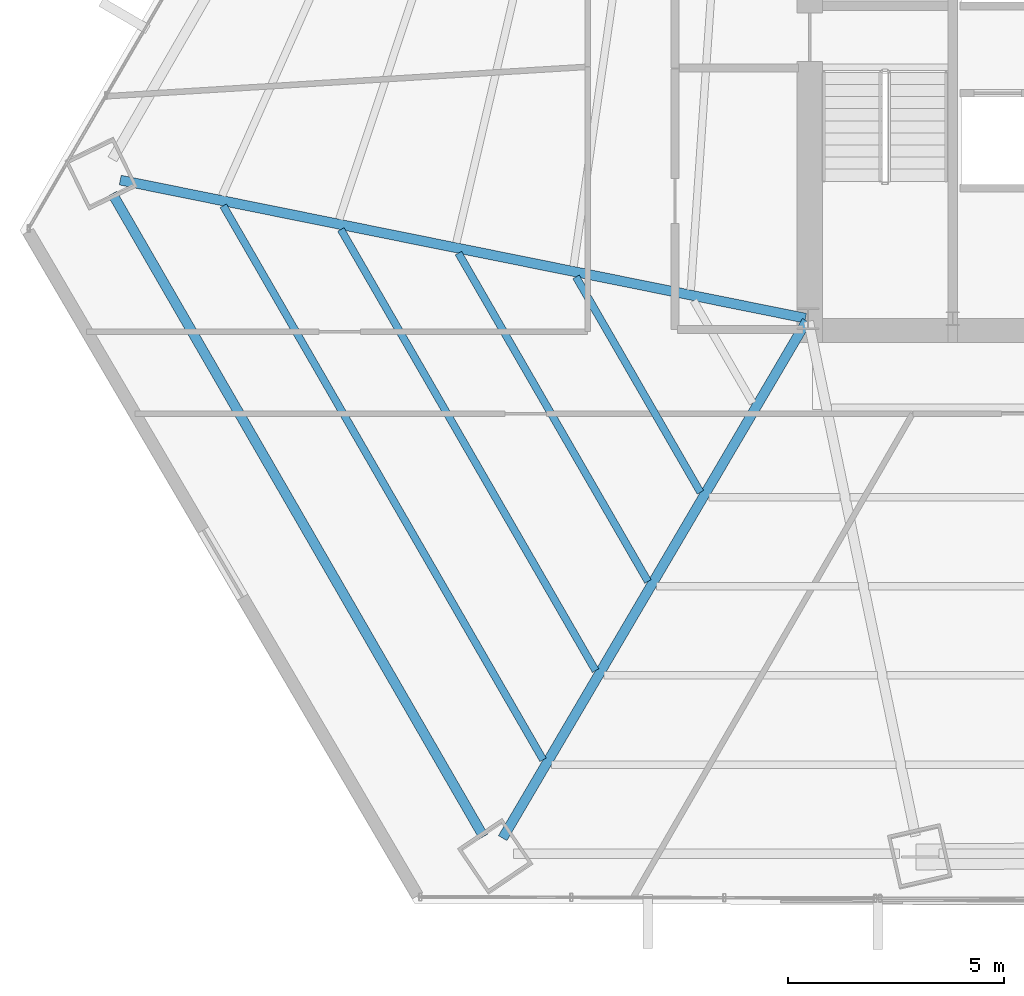
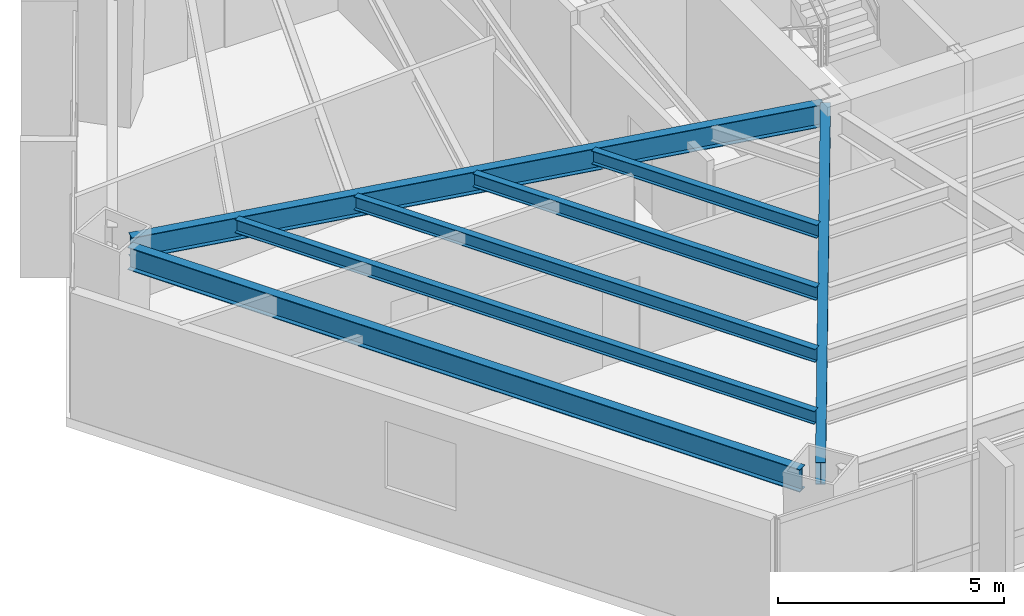
# One storey, part 4 of 33: 7 beams.
"""IFC4 building model written with IfcOpenShell, lengths in metres."""

from ifc_helpers import new_model, si_unit, direction, frame, origin, origin_2d, place, context, subcontext, project, spatial, i_section, extrude, source, transform, mapped, material, material_profile, profile_set, type_object, type_shapes, element, save


model = new_model("IFC4")

# Units and contexts
model_context = context("Model", 3, precision=1e-05, world=origin(), true_north=direction((0.0, 1.0)))
body_context = subcontext(model_context, "Body", "Model", "MODEL_VIEW")
ifc_project = project(units=[si_unit("LENGTHUNIT", "METRE"), si_unit("AREAUNIT", "SQUARE_METRE"), si_unit("VOLUMEUNIT", "CUBIC_METRE"), si_unit("PLANEANGLEUNIT", "RADIAN"), si_unit("MASSUNIT", "GRAM", prefix="KILO")], contexts=[model_context])

# Site, building, storey
site_placement = place(None, origin())
site = spatial("IfcSite", under=ifc_project, at=site_placement, CompositionType="ELEMENT")
building_placement = place(site_placement, origin())
building = spatial("IfcBuilding", under=site, at=building_placement, Name="Caelisora Broadcast Tower", CompositionType="ELEMENT")
storey_placement = place(building_placement, frame((0.0, 0.0, 34.89990234375)))
storey = spatial("IfcBuildingStorey", under=building, at=storey_placement, Name="L08", CompositionType="ELEMENT", Elevation=34.89990234375)

# Beams
ifc_material = material(Name="Steel Grade 350 (AS/NZS 3679.1)", Category="steel")
ifc_material_profile_1 = material_profile(ifc_material, i_section(OverallWidth=0.22900390625, OverallDepth=0.611572265625, WebThickness=0.011962890625, FlangeThickness=0.01953125, at=origin_2d()), Name="Steel Grade 350 (AS/NZS 3679.1)")
ifc_profile_set_1 = profile_set([ifc_material_profile_1], Name="Steel Grade 350 (AS/NZS 3679.1)")
beam_type_1 = type_object("IfcBeamType", Name="PG03", PredefinedType="BEAM", material=ifc_profile_set_1)
shared_shape_1 = source(origin(), body_context, "Body", "SweptSolid", [
    extrude(i_section(OverallWidth=0.22900390625, OverallDepth=0.611572265625, WebThickness=0.011962890625, FlangeThickness=0.01953125, at=origin_2d()), origin(), (0.0, 0.0, 1.0), 17.179931640625),
])
type_shapes(beam_type_1, [shared_shape_1])
beam_1_placement = place(storey_placement, frame((14.400146484375, 20.29345703125, 3.09423828125), z_axis=(0.500007431298, -0.86602111328, 0.0), x_axis=(0.86602111328, 0.500007431298, 0.0)))
element("IfcBeam", 1, at=beam_1_placement, inside=storey, type_object=beam_type_1, Name="L08 beam PG03", PredefinedType="BEAM", context=body_context, shape_type="MappedRepresentation", body=[
    mapped(shared_shape_1, transform((0.0, 0.0, 0.0), scale=1.0)),
])
ifc_material_profile_2 = material_profile(ifc_material, i_section(OverallWidth=0.22802734375, OverallDepth=0.602294921875, WebThickness=0.010498046875, FlangeThickness=0.014892578125, at=origin_2d()), Name="Steel Grade 350 (AS/NZS 3679.1)")
ifc_profile_set_2 = profile_set([ifc_material_profile_2], Name="Steel Grade 350 (AS/NZS 3679.1)")
beam_type_2 = type_object("IfcBeamType", Name="PG04", PredefinedType="BEAM", material=ifc_profile_set_2)
shared_shape_2 = source(origin(), body_context, "Body", "SweptSolid", [
    extrude(i_section(OverallWidth=0.22802734375, OverallDepth=0.602294921875, WebThickness=0.010498046875, FlangeThickness=0.014892578125, at=origin_2d()), origin(), (0.0, 0.0, 1.0), 16.178466796875),
])
beam_2_placement = place(storey_placement, frame((30.441162109375, 17.411865234375, 3.098876953125), z_axis=(-0.98028062823, 0.197610449918, 0.0), x_axis=(-0.197610449918, -0.98028062823, 0.0)))
element("IfcBeam", 2, at=beam_2_placement, inside=storey, type_object=beam_type_2, Name="L08 beam PG04", PredefinedType="BEAM", context=body_context, shape_type="MappedRepresentation", body=[
    mapped(shared_shape_2, transform((0.0, 0.0, 0.0), scale=1.0)),
])
shared_shape_3 = source(origin(), body_context, "Body", "SweptSolid", [
    extrude(i_section(OverallWidth=0.22802734375, OverallDepth=0.602294921875, WebThickness=0.010498046875, FlangeThickness=0.014892578125, at=origin_2d()), origin(), (0.0, 0.0, 1.0), 13.884521484375),
])
type_shapes(beam_type_2, [shared_shape_2, shared_shape_3])
beam_3_placement = place(storey_placement, frame((30.469482421875, 17.348388671875, 3.098876953125), z_axis=(-0.506779585423, -0.862075664776, 0.0), x_axis=(0.862075664776, -0.506779585423, 0.0)))
element("IfcBeam", 3, at=beam_3_placement, inside=storey, type_object=beam_type_2, Name="L08 beam PG04", PredefinedType="BEAM", context=body_context, shape_type="MappedRepresentation", body=[
    mapped(shared_shape_3, transform((0.0, 0.0, 0.0), scale=1.0)),
])
ifc_material_profile_3 = material_profile(ifc_material, i_section(OverallWidth=0.172119140625, OverallDepth=0.358642578125, WebThickness=0.008056640625, FlangeThickness=0.012939453125, at=origin_2d()), Name="Steel Grade 350 (AS/NZS 3679.1)")
ifc_profile_set_3 = profile_set([ifc_material_profile_3], Name="Steel Grade 350 (AS/NZS 3679.1)")
beam_type_3 = type_object("IfcBeamType", Name="SB02", PredefinedType="JOIST", material=ifc_profile_set_3)
shared_shape_4 = source(origin(), body_context, "Body", "SweptSolid", [
    extrude(i_section(OverallWidth=0.172119140625, OverallDepth=0.358642578125, WebThickness=0.008056640625, FlangeThickness=0.012939453125, at=origin_2d()), origin(), (0.0, 0.0, 1.0), 5.75634765625),
])
beam_4_placement = place(storey_placement, frame((25.131103515625, 18.3681640625, 3.220703125), z_axis=(0.500052873733, -0.865994874968, 0.0), x_axis=(0.865994874968, 0.500052873733, 0.0)))
element("IfcBeam", 4, at=beam_4_placement, inside=storey, type_object=beam_type_3, Name="L08 beam SB02", PredefinedType="JOIST", context=body_context, shape_type="MappedRepresentation", body=[
    mapped(shared_shape_4, transform((0.0, 0.0, 0.0), scale=1.0)),
])
shared_shape_5 = source(origin(), body_context, "Body", "SweptSolid", [
    extrude(i_section(OverallWidth=0.172119140625, OverallDepth=0.358642578125, WebThickness=0.008056640625, FlangeThickness=0.012939453125, at=origin_2d()), origin(), (0.0, 0.0, 1.0), 8.77294921875),
])
beam_5_placement = place(storey_placement, frame((22.40966796875, 18.9169921875, 3.220703125), z_axis=(0.499997070118, -0.866027095346, 0.0), x_axis=(0.866027095346, 0.499997070118, 0.0)))
element("IfcBeam", 5, at=beam_5_placement, inside=storey, type_object=beam_type_3, Name="L08 beam SB02", PredefinedType="JOIST", context=body_context, shape_type="MappedRepresentation", body=[
    mapped(shared_shape_5, transform((0.0, 0.0, 0.0), scale=1.0)),
])
shared_shape_6 = source(origin(), body_context, "Body", "SweptSolid", [
    extrude(i_section(OverallWidth=0.172119140625, OverallDepth=0.358642578125, WebThickness=0.008056640625, FlangeThickness=0.012939453125, at=origin_2d()), origin(), (0.0, 0.0, 1.0), 11.78955078125),
])
beam_6_placement = place(storey_placement, frame((19.68798828125, 19.465576171875, 3.220703125), z_axis=(0.500003288626, -0.866023505087, 0.0), x_axis=(0.866023505087, 0.500003288626, 0.0)))
element("IfcBeam", 6, at=beam_6_placement, inside=storey, type_object=beam_type_3, Name="L08 beam SB02", PredefinedType="JOIST", context=body_context, shape_type="MappedRepresentation", body=[
    mapped(shared_shape_6, transform((0.0, 0.0, 0.0), scale=1.0)),
])
shared_shape_7 = source(origin(), body_context, "Body", "SweptSolid", [
    extrude(i_section(OverallWidth=0.172119140625, OverallDepth=0.358642578125, WebThickness=0.008056640625, FlangeThickness=0.012939453125, at=origin_2d()), origin(), (0.0, 0.0, 1.0), 14.80615234375),
])
type_shapes(beam_type_3, [shared_shape_4, shared_shape_5, shared_shape_6, shared_shape_7])
beam_7_placement = place(storey_placement, frame((16.96630859375, 20.01416015625, 3.220703125), z_axis=(0.499999833195, -0.86602550009, 0.0), x_axis=(0.86602550009, 0.499999833195, 0.0)))
element("IfcBeam", 7, at=beam_7_placement, inside=storey, type_object=beam_type_3, Name="L08 beam SB02", PredefinedType="JOIST", context=body_context, shape_type="MappedRepresentation", body=[
    mapped(shared_shape_7, transform((0.0, 0.0, 0.0), scale=1.0)),
])

save(model, "model.ifc")
